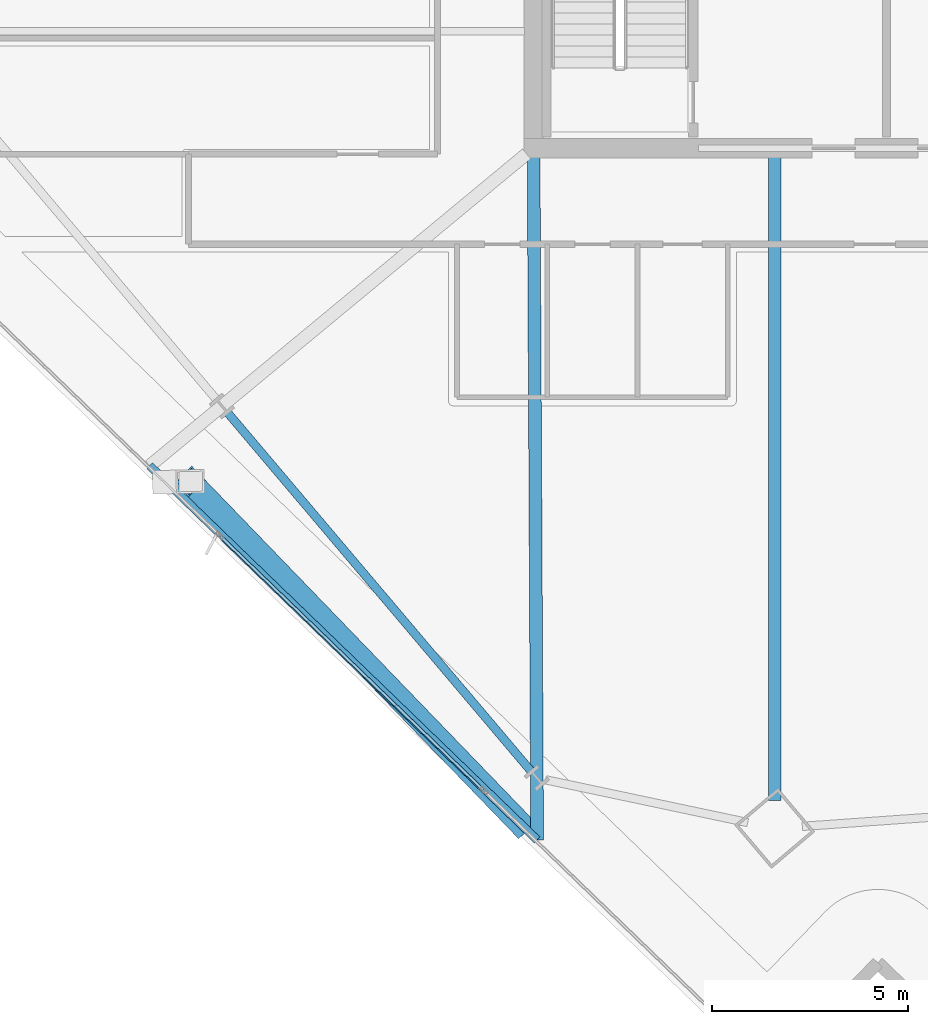
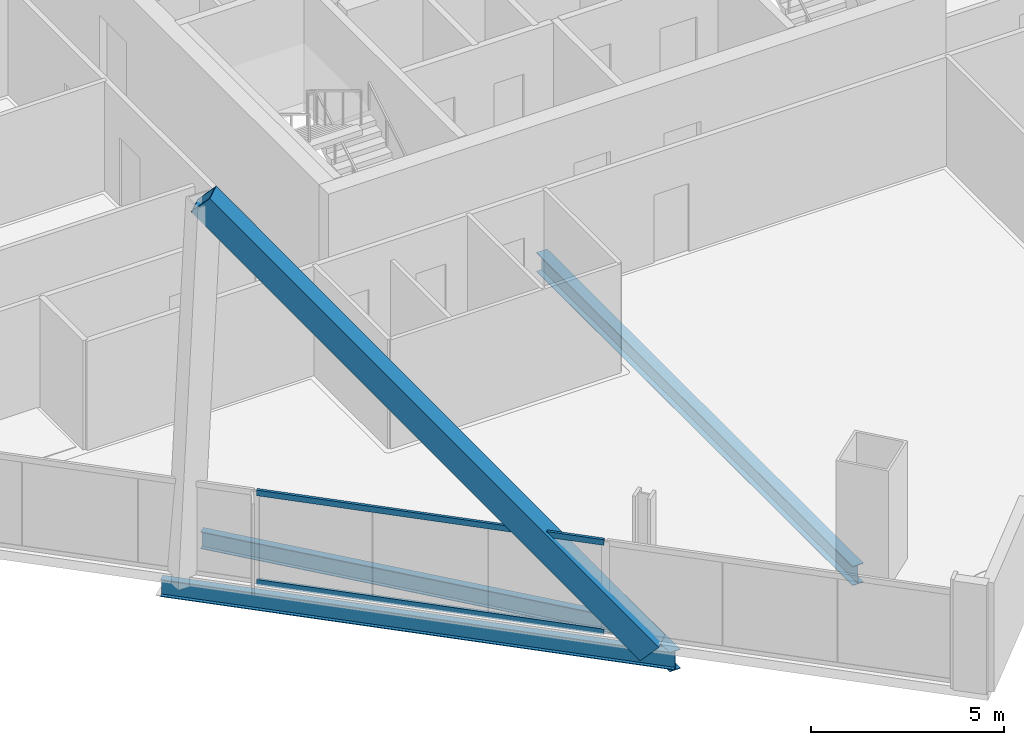
# One storey, part 4 of 33: 4 beams, 3 members, 1 element without a shape of its own.
"""IFC4 building model written with IfcOpenShell, lengths in metres."""

from ifc_helpers import new_model, si_unit, direction, frame, origin, origin_2d, place, context, subcontext, project, spatial, hollow_rectangle, i_section, extrude, material, material_profile, profile_set, type_object, element, aggregate, save


model = new_model("IFC4")

# Units and contexts
model_context = context("Model", 3, precision=1e-05, world=origin(), true_north=direction((0.0, 1.0)))
body_context = subcontext(model_context, "Body", "Model", "MODEL_VIEW")
ifc_project = project(units=[si_unit("LENGTHUNIT", "METRE"), si_unit("AREAUNIT", "SQUARE_METRE"), si_unit("VOLUMEUNIT", "CUBIC_METRE"), si_unit("PLANEANGLEUNIT", "RADIAN"), si_unit("MASSUNIT", "GRAM", prefix="KILO")], contexts=[model_context])

# Site, building, storey
site_placement = place(None, origin())
site = spatial("IfcSite", under=ifc_project, at=site_placement, CompositionType="ELEMENT")
building_placement = place(site_placement, origin())
building = spatial("IfcBuilding", under=site, at=building_placement, Name="Haldenkirk Collegiate Tower", CompositionType="ELEMENT")
storey_placement = place(building_placement, frame((0.0, 0.0, 181.949951171875)))
storey = spatial("IfcBuildingStorey", under=building, at=storey_placement, Name="L45", CompositionType="ELEMENT", Elevation=181.949951171875)

# Beams
ifc_material_1 = material(Name="Steel ASTM A992 Grade 50", Category="steel")
ifc_material_profile_1 = material_profile(ifc_material_1, i_section(OverallWidth=0.324951171875, OverallDepth=0.615966796875, WebThickness=0.013916015625, FlangeThickness=0.021484375, at=origin_2d()), Name="W24X117")
ifc_profile_set_1 = profile_set([ifc_material_profile_1], Name="Steel ASTM A992 Grade 50")
beam_type_1 = type_object("IfcBeamType", Name="BM-GIRDER-W24X117", PredefinedType="BEAM", material=ifc_profile_set_1)
beam_1_placement = place(storey_placement, frame((33.149169921875, 1.36279296875, -0.597900390625), z_axis=(0.0, 1.0, 0.0), x_axis=(-1.0, 0.0, 0.0)))
element("IfcBeam", 1, at=beam_1_placement, inside=storey, type_object=beam_type_1, Name="L45 primary floor girder 01", PredefinedType="BEAM", context=body_context, shape_type="SweptSolid", body=[
    extrude(i_section(OverallWidth=0.324951171875, OverallDepth=0.615966796875, WebThickness=0.013916015625, FlangeThickness=0.021484375, at=origin_2d()), origin(), (0.0, 0.0, 1.0), 16.4072265625),
])
beam_2_placement = place(storey_placement, frame((27.091064453125, 0.363525390625, -0.597900390625), z_axis=(-0.005161438744, 0.999986679686, 0.0), x_axis=(-0.999986679686, -0.005161438744, 0.0)))
element("IfcBeam", 2, at=beam_2_placement, inside=storey, type_object=beam_type_1, Name="L45 primary floor girder 16", PredefinedType="BEAM", context=body_context, shape_type="SweptSolid", body=[
    extrude(i_section(OverallWidth=0.324951171875, OverallDepth=0.615966796875, WebThickness=0.013916015625, FlangeThickness=0.021484375, at=origin_2d()), origin(), (0.0, 0.0, 1.0), 17.40673828125),
])
ifc_material_profile_2 = material_profile(ifc_material_1, i_section(OverallWidth=0.2119140625, OverallDepth=0.5439453125, WebThickness=0.01318359375, FlangeThickness=0.021240234375, at=origin_2d()), Name="W21X83")
ifc_profile_set_2 = profile_set([ifc_material_profile_2], Name="Steel ASTM A992 Grade 50")
beam_type_2 = type_object("IfcBeamType", Name="BM-SPANDREL-W21X83", PredefinedType="SPANDREL", material=ifc_profile_set_2)
beam_3_placement = place(storey_placement, frame((19.202880859375, 11.250732421875, -0.56201171875), z_axis=(0.646115074743, -0.763240008248, 0.0), x_axis=(0.763240008248, 0.646115074743, 0.0)))
element("IfcBeam", 3, at=beam_3_placement, inside=storey, type_object=beam_type_2, Name="L45 perimeter spandrel beam 15", PredefinedType="SPANDREL", context=body_context, shape_type="SweptSolid", body=[
    extrude(i_section(OverallWidth=0.2119140625, OverallDepth=0.5439453125, WebThickness=0.01318359375, FlangeThickness=0.021240234375, at=origin_2d()), origin(), (0.0, 0.0, 1.0), 11.966796875),
])
beam_4_placement = place(storey_placement, frame((17.213623046875, 9.902099609375, -0.56201171875), z_axis=(0.719338347283, -0.694659875139, 0.0), x_axis=(0.694659875139, 0.719338347283, 0.0)))
element("IfcBeam", 4, at=beam_4_placement, inside=storey, type_object=beam_type_2, Name="L45 outer facade edge beam 4", PredefinedType="SPANDREL", context=body_context, shape_type="SweptSolid", body=[
    extrude(i_section(OverallWidth=0.2119140625, OverallDepth=0.5439453125, WebThickness=0.01318359375, FlangeThickness=0.021240234375, at=origin_2d()), origin(), (0.0, 0.0, 1.0), 13.731201171875),
])

# Curtain wall, members
ifc_material_2 = material(Name="Anodised architectural bronze aluminium", Category="aluminium")
curtain_wall_type = type_object("IfcCurtainWallType", Name="CW-SYS1-CONVEX-LOW", PredefinedType="USERDEFINED", material=ifc_material_2)
curtain_wall_placement = place(storey_placement, origin())
curtain_wall = element("IfcCurtainWall", 5, at=curtain_wall_placement, inside=storey, type_object=curtain_wall_type, Name="L45 Lower tower convex bronze-framed unitised curtain wall", ObjectType="UNITISED CURTAIN WALL", PredefinedType="USERDEFINED")
ifc_material_profile_3 = material_profile(ifc_material_2, hollow_rectangle(XDim=0.080078125, YDim=0.179931640625, WallThickness=0.0048828125, at=origin_2d()), Name="CW-TRN-1A")
ifc_profile_set_3 = profile_set([ifc_material_profile_3], Name="Anodised architectural bronze aluminium")
member_type_1 = type_object("IfcMemberType", Name="CW-TRN-1A", PredefinedType="USERDEFINED", material=ifc_profile_set_3)
member_1_placement = place(storey_placement, frame((25.708251953125, 1.643310546875, 0.0400390625), z_axis=(-0.719338960815, 0.69465923981, 0.0), x_axis=(-0.69465923981, -0.719338960815, 0.0)))
member_1 = element("IfcMember", 6, at=member_1_placement, type_object=member_type_1, Name="CW-1A transom 2.1", ObjectType="TRANSOM", PredefinedType="USERDEFINED", context=body_context, shape_type="SweptSolid", body=[
    extrude(hollow_rectangle(XDim=0.080078125, YDim=0.179931640625, WallThickness=0.0048828125, at=origin_2d()), origin(), (0.0, 0.0, 1.0), 9.288818359375),
])
member_2_placement = place(storey_placement, frame((25.708251953125, 1.643310546875, 2.87109375), z_axis=(-0.719338960815, 0.69465923981, 0.0), x_axis=(-0.69465923981, -0.719338960815, 0.0)))
member_2 = element("IfcMember", 7, at=member_2_placement, type_object=member_type_1, Name="CW-1A transom 2.2", ObjectType="TRANSOM", PredefinedType="USERDEFINED", context=body_context, shape_type="SweptSolid", body=[
    extrude(hollow_rectangle(XDim=0.080078125, YDim=0.179931640625, WallThickness=0.0048828125, at=origin_2d()), origin(), (0.0, 0.0, 1.0), 9.288818359375),
])
aggregate(curtain_wall, [member_1, member_2])

# Member
ifc_material_3 = material(Name="Steel ASTM A572 Grade 50", Category="steel")
ifc_material_profile_4 = material_profile(ifc_material_3, hollow_rectangle(XDim=0.60009765625, YDim=0.719970703125, WallThickness=0.044921875, at=origin_2d()), Name="BOX720X600X45")
ifc_profile_set_4 = profile_set([ifc_material_profile_4], Name="Steel ASTM A572 Grade 50")
member_type_2 = type_object("IfcMemberType", Name="MBR-MEGABRACE-BOX720X600X45", PredefinedType="BRACE", material=ifc_profile_set_4)
member_3_placement = place(storey_placement, frame((26.659423828125, 0.780517578125, -0.300048828125), z_axis=(-0.49587828425, 0.513846660967, 0.700047381412), x_axis=(-0.719576045114, -0.694413648554, 0.0)))
element("IfcMember", 8, at=member_3_placement, inside=storey, type_object=member_type_2, Name="Perimeter Mega Brace Z3 L45-L47 WR", PredefinedType="BRACE", context=body_context, shape_type="SweptSolid", body=[
    extrude(hollow_rectangle(XDim=0.60009765625, YDim=0.719970703125, WallThickness=0.044921875, at=origin_2d()), origin(), (0.0, 0.0, 1.0), 16.970458984375),
])

save(model, "model.ifc")
